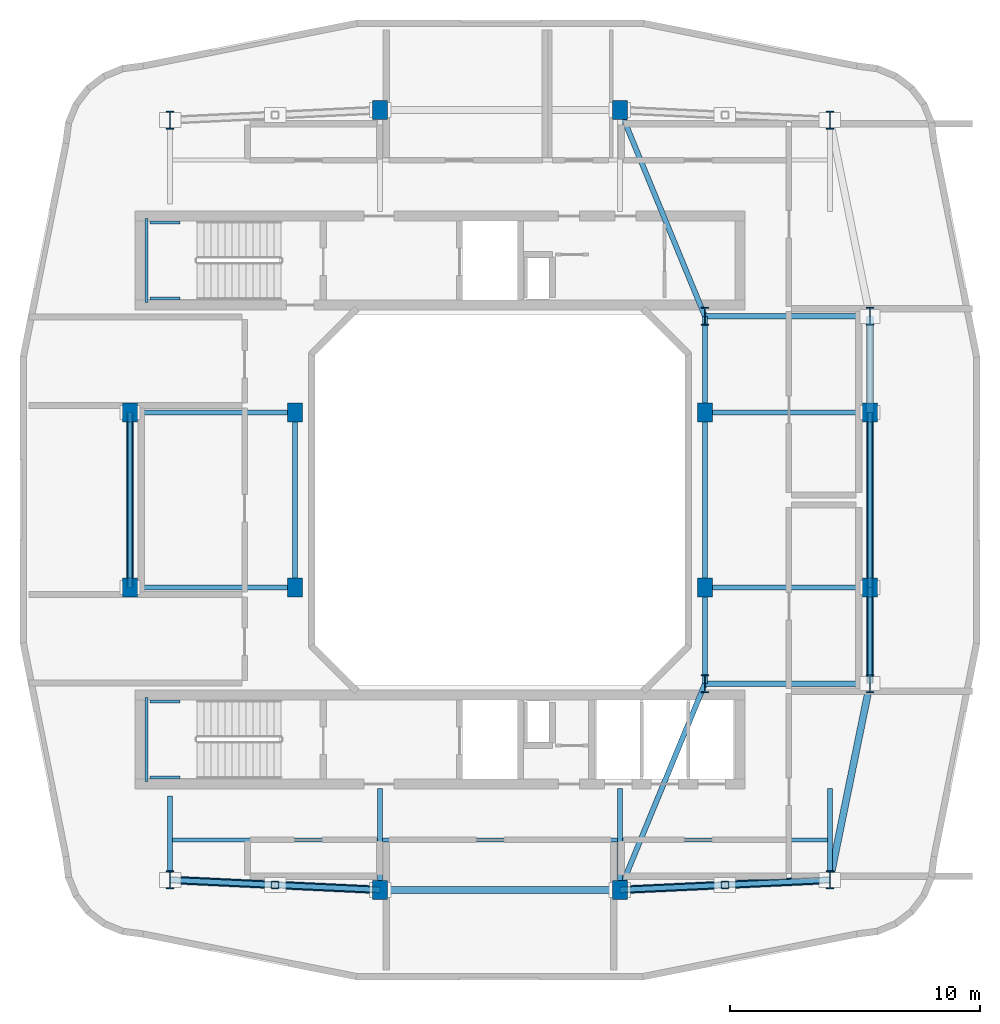
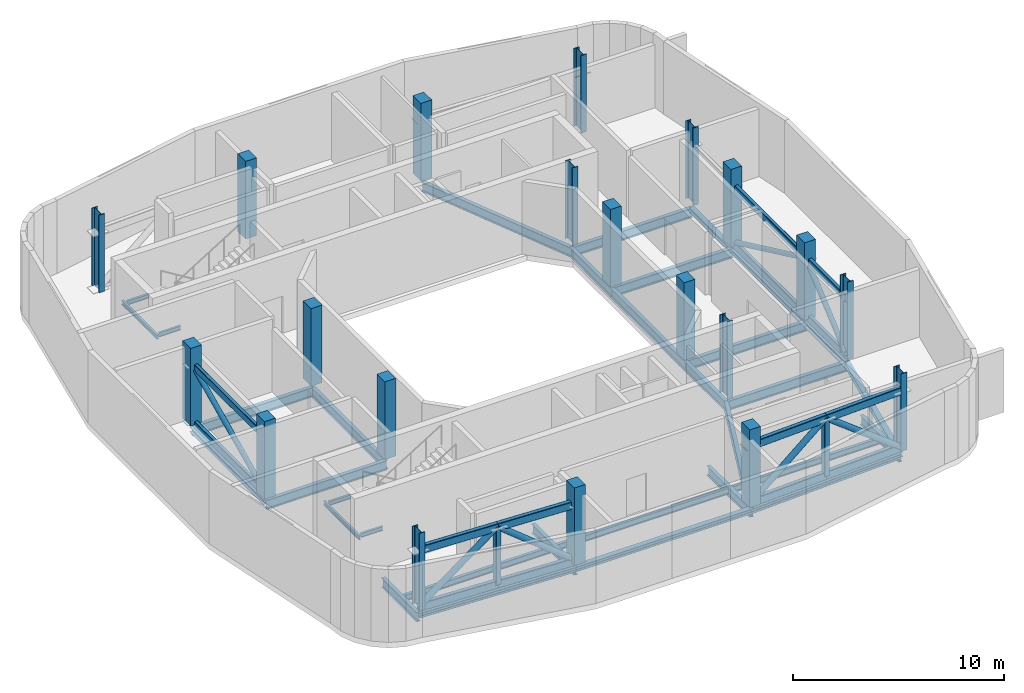
# One storey, part 1 of 9: 33 beams, 23 members, 20 columns.
"""IFC4 building model written with IfcOpenShell, lengths in metres."""

import ifcopenshell
import ifcopenshell.guid

model = None  # the IFC model being written
_history = None  # IfcOwnerHistory: only IFC2X3 demands one
_inside = {}  # id of a spatial element -> (the spatial element, [elements in it])
_under = {}  # id of a project, library or spatial element -> (it, [spatial elements below it])
_declared = {}  # id of a project -> (the project, [libraries it declares])
_typed = {}  # id of a type object -> (the type object, [elements of that type])
_made_of = {}  # id of a material, layer set ... -> (it, [elements and type objects made of it])


def new_model(schema):
    """Start an empty IFC model of exactly this schema.

    Asked for "IFC4X3", IfcOpenShell would pick the latest addendum, in which some entities
    have other attributes; the version numbers below select the first issue.
    IFC2X3 requires an IfcOwnerHistory on every rooted entity: one is made here for all.
    """
    global model, _history
    if schema == "IFC4X3":
        model = ifcopenshell.file(schema_version=(4, 3, 0, 0))
    else:
        model = ifcopenshell.file(schema=schema)
    _inside.clear()
    _under.clear()
    _declared.clear()
    _typed.clear()
    _made_of.clear()
    _history = None
    if model.schema == "IFC2X3":
        org = make("IfcOrganization", Name="unknown")
        user = make(
            "IfcPersonAndOrganization",
            ThePerson=make("IfcPerson", FamilyName="unknown"),
            TheOrganization=org,
        )
        app = make(
            "IfcApplication",
            ApplicationDeveloper=org,
            Version="unknown",
            ApplicationFullName="unknown",
            ApplicationIdentifier="unknown",
        )
        _history = make(
            "IfcOwnerHistory",
            OwningUser=user,
            OwningApplication=app,
            ChangeAction="ADDED",
            CreationDate=0,
        )
    return model


def make(cls, **values):
    """One entity of the class cls with the attributes given. An attribute that is None is left unset."""
    return model.create_entity(
        cls, **{name: value for name, value in values.items() if value is not None}
    )


def rooted(cls, **values):
    """An entity with a GlobalId (a new one), such as an element, a storey or a relation."""
    return make(cls, GlobalId=ifcopenshell.guid.new(), OwnerHistory=_history, **values)


def si_unit(unit_type, name, prefix=None):
    """IfcSIUnit, for example si_unit("LENGTHUNIT", "METRE", prefix="MILLI")."""
    return make("IfcSIUnit", UnitType=unit_type, Prefix=prefix, Name=name)


def derived_unit(unit_type, elements):
    """IfcDerivedUnit: a product of units, each with its exponent."""
    return make(
        "IfcDerivedUnit",
        Elements=[
            make("IfcDerivedUnitElement", Unit=unit, Exponent=power)
            for unit, power in elements
        ],
        UnitType=unit_type,
    )


def assignment(units):
    """IfcUnitAssignment: the units of a project."""
    return None if units is None else make("IfcUnitAssignment", Units=units)


def point(xyz):
    """IfcCartesianPoint."""
    return None if xyz is None else make("IfcCartesianPoint", Coordinates=xyz)


def direction(xyz):
    """IfcDirection."""
    return None if xyz is None else make("IfcDirection", DirectionRatios=xyz)


def frame(location, z_axis=None, x_axis=None):
    """IfcAxis2Placement3D, a coordinate frame: its origin and axes. An axis left out is left unset."""
    return make(
        "IfcAxis2Placement3D",
        Location=point(location),
        Axis=direction(z_axis),
        RefDirection=direction(x_axis),
    )


def frame_2d(location, x_axis=None):
    """IfcAxis2Placement2D, a coordinate frame in the plane: its origin and x axis."""
    return make(
        "IfcAxis2Placement2D", Location=point(location), RefDirection=direction(x_axis)
    )


def origin():
    """The frame at (0, 0, 0) with its axes left unset."""
    return frame((0.0, 0.0, 0.0))


def origin_2d():
    """The frame at (0, 0) in the plane with its x axis left unset."""
    return frame_2d((0.0, 0.0))


def place(relative_to, where):
    """IfcLocalPlacement: puts the frame where relative to a parent placement (None: the world)."""
    return make(
        "IfcLocalPlacement", PlacementRelTo=relative_to, RelativePlacement=where
    )


def context(
    kind, dimensions, precision=None, world=None, true_north=None, identifier=None
):
    """IfcGeometricRepresentationContext, for example the 3D "Model" context."""
    return make(
        "IfcGeometricRepresentationContext",
        ContextIdentifier=identifier,
        ContextType=kind,
        CoordinateSpaceDimension=dimensions,
        Precision=precision,
        WorldCoordinateSystem=world,
        TrueNorth=true_north,
    )


def subcontext(parent, identifier, kind, view, scale=None):
    """IfcGeometricRepresentationSubContext, for example "Body" below "Model"."""
    return make(
        "IfcGeometricRepresentationSubContext",
        ContextIdentifier=identifier,
        ContextType=kind,
        ParentContext=parent,
        TargetScale=scale,
        TargetView=view,
    )


def project(units=None, contexts=None):
    """IfcProject with its units and contexts."""
    return rooted(
        "IfcProject",
        Name="project",
        RepresentationContexts=contexts,
        UnitsInContext=assignment(units),
    )


def spatial(cls, under=None, at=None, **own):
    """A site, building, storey or space (cls), placed at a placement, below another one or the project."""
    s = rooted(cls, ObjectPlacement=at, **own)
    if under is not None:
        _under.setdefault(under.id(), (under, []))[1].append(s)
    return s


def profile(cls, at=None, kind="AREA", **sizes):
    """A parametric profile (cls). Its sizes go by their IFC names, for example OverallWidth=200.0."""
    return make(cls, ProfileType=kind, Position=at, **sizes)


def rectangle(**sizes):
    """IfcRectangleProfileDef."""
    return profile("IfcRectangleProfileDef", **sizes)


def hollow_rectangle(**sizes):
    """IfcRectangleHollowProfileDef."""
    return profile("IfcRectangleHollowProfileDef", **sizes)


def hollow_circle(**sizes):
    """IfcCircleHollowProfileDef."""
    return profile("IfcCircleHollowProfileDef", **sizes)


def i_section(**sizes):
    """IfcIShapeProfileDef."""
    return profile("IfcIShapeProfileDef", **sizes)


def extrude(swept, where, along, depth):
    """IfcExtrudedAreaSolid: the profile swept, set in the frame where, extruded along a direction by depth."""
    return make(
        "IfcExtrudedAreaSolid",
        SweptArea=swept,
        Position=where,
        ExtrudedDirection=direction(along),
        Depth=depth,
    )


def shape(context_of_items, identifier, shape_type, items):
    """IfcShapeRepresentation: the items that make up one representation, for example the "Body"."""
    return make(
        "IfcShapeRepresentation",
        ContextOfItems=context_of_items,
        RepresentationIdentifier=identifier,
        RepresentationType=shape_type,
        Items=items,
    )


def material(Name=None, Category=None):
    """IfcMaterial."""
    return make("IfcMaterial", Name=Name, Category=Category)


def material_profile(
    of_material, cross_section, Name=None, Category=None, Priority=None
):
    """IfcMaterialProfile: a cross section and its material."""
    return make(
        "IfcMaterialProfile",
        Name=Name,
        Material=of_material,
        Profile=cross_section,
        Priority=Priority,
        Category=Category,
    )


def profile_set(profiles, Name=None, composite=None):
    """IfcMaterialProfileSet."""
    return make(
        "IfcMaterialProfileSet",
        Name=Name,
        MaterialProfiles=profiles,
        CompositeProfile=composite,
    )


def made_of(thing, what):
    """Note that an element or type object is made of a material, layer set ...; save() writes the relation."""
    if what is not None:
        _made_of.setdefault(what.id(), (what, []))[1].append(thing)
    return thing


def type_object(cls, material=None, **own):
    """A type object (cls), such as IfcWallType, which elements share."""
    return made_of(rooted(cls, **own), material)


def element(
    cls,
    number,
    at=None,
    inside=None,
    cuts=None,
    type_object=None,
    material=None,
    context=None,
    identifier="Body",
    shape_type=None,
    held_by="IfcProductDefinitionShape",
    body=None,
    shapes=None,
    **own,
):
    """One element of the class cls, such as IfcWall. Its Tag is "e" and its number.

    at: its placement. inside: the storey or other place that contains it. cuts: it is an
    opening in that element (IfcRelVoidsElement). A single representation is given by context,
    identifier, shape_type and body (its items); several are given by shapes. held_by: the class
    of the entity that holds the representations. save() writes the other relations.
    """
    e = rooted(cls, Tag="e%d" % number, ObjectPlacement=at, **own)
    if body is not None:
        shapes = [shape(context, identifier, shape_type, body)]
    if shapes is not None:
        e.Representation = make(held_by, Representations=shapes)
    if inside is not None:
        _inside.setdefault(inside.id(), (inside, []))[1].append(e)
    if cuts is not None:
        rooted(
            "IfcRelVoidsElement", RelatingBuildingElement=cuts, RelatedOpeningElement=e
        )
    if type_object is not None:
        _typed.setdefault(type_object.id(), (type_object, []))[1].append(e)
    return made_of(e, material)


def aggregate(whole, parts):
    """IfcRelAggregates: a whole, such as a stair, and the parts it consists of."""
    return rooted("IfcRelAggregates", RelatingObject=whole, RelatedObjects=parts)


def save(model, path):
    """Write the relations noted so far, then the file.

    IfcRelAggregates (storeys below a building ...), IfcRelContainedInSpatialStructure (elements
    in a storey), IfcRelDefinesByType, IfcRelAssociatesMaterial and IfcRelDeclares: one each for
    every whole, place, type object, material and project.
    """
    for whole, parts in _under.values():
        aggregate(whole, parts)
    for where, things in _inside.values():
        rooted(
            "IfcRelContainedInSpatialStructure",
            RelatedElements=things,
            RelatingStructure=where,
        )
    for kind, things in _typed.values():
        rooted("IfcRelDefinesByType", RelatedObjects=things, RelatingType=kind)
    for what, things in _made_of.values():
        rooted("IfcRelAssociatesMaterial", RelatedObjects=things, RelatingMaterial=what)
    for by, libraries in _declared.values():
        rooted("IfcRelDeclares", RelatingContext=by, RelatedDefinitions=libraries)
    model.write(path)


model = new_model("IFC4")

# Units and contexts
model_context = context("Model", 3, precision=1e-05, world=origin(), true_north=direction((0.0, 1.0)))
body_context = subcontext(model_context, "Body", "Model", "MODEL_VIEW")
ifc_project = project(units=[si_unit("LENGTHUNIT", "METRE"), si_unit("AREAUNIT", "SQUARE_METRE"), si_unit("VOLUMEUNIT", "CUBIC_METRE"), si_unit("PLANEANGLEUNIT", "RADIAN"), si_unit("MASSUNIT", "GRAM", prefix="KILO"), derived_unit("THERMALTRANSMITTANCEUNIT", [(si_unit("POWERUNIT", "WATT"), 1), (si_unit("LENGTHUNIT", "METRE"), -2), (si_unit("THERMODYNAMICTEMPERATUREUNIT", "KELVIN"), -1)])], contexts=[model_context])

# Site, building, storey
site_placement = place(None, origin())
site = spatial("IfcSite", under=ifc_project, at=site_placement, CompositionType="ELEMENT")
building_placement = place(site_placement, origin())
building = spatial("IfcBuilding", under=site, at=building_placement, Name="Kivonza Crest Hotel", CompositionType="ELEMENT")
storey_placement = place(building_placement, frame((0.0, 0.0, 238.699951171875)))
storey = spatial("IfcBuildingStorey", under=building, at=storey_placement, Name="L65", CompositionType="ELEMENT", Elevation=238.699951171875)

# Columns
ifc_material_1 = material(Name="Concrete C50/60", Category="concrete")
ifc_material_profile_1 = material_profile(ifc_material_1, rectangle(XDim=0.60009765625, YDim=0.75, at=origin_2d()), Name="RC 750x600")
ifc_profile_set_1 = profile_set([ifc_material_profile_1], Name="Concrete C50/60")
column_type_1 = type_object("IfcColumnType", Name="CL-RC-750x600", PredefinedType="COLUMN", material=ifc_profile_set_1)
for number, where, z_axis, x_axis, name in (
    (1, (16.199951171875, 9.39990234375, 0.0), (0.0, 0.0, 1.0), (1.0, 0.0, 0.0), "Tower T1 L65 column S1"),
    (2, (25.800048828125, 9.39990234375, 0.0), (0.0, 0.0, 1.0), (1.0, 0.0, 0.0), "Tower T1 L65 column S2"),
    (3, (16.199951171875, 40.60009765625, 0.0), (0.0, 0.0, 1.0), (1.0, 0.0, 0.0), "Tower T1 L65 column N1"),
    (4, (25.800048828125, 40.60009765625, 0.0), (0.0, 0.0, 1.0), (1.0, 0.0, 0.0), "Tower T1 L65 column N2"),
    (5, (6.199951171875, 21.5, 0.0), (0.0, 0.0, 1.0), (1.0, 0.0, 0.0), "Tower T1 L65 column W1"),
    (6, (6.199951171875, 28.5, 0.0), (0.0, 0.0, 1.0), (1.0, 0.0, 0.0), "Tower T1 L65 column W2"),
    (7, (35.800048828125, 21.5, 0.0), (0.0, 0.0, 1.0), (1.0, 0.0, 0.0), "Tower T1 L65 column E1"),
    (8, (35.800048828125, 28.5, 0.0), (0.0, 0.0, 1.0), (1.0, 0.0, 0.0), "Tower T1 L65 column E2"),
    (9, (12.800048828125, 21.5, 0.0), (0.0, 0.0, 1.0), (1.0, 0.0, 0.0), "Tower T1 L65 column WL1"),
    (10, (12.800048828125, 28.5, 0.0), (0.0, 0.0, 1.0), (1.0, 0.0, 0.0), "Tower T1 L65 column WL2"),
    (11, (29.199951171875, 21.5, 0.0), (0.0, 0.0, 1.0), (1.0, 0.0, 0.0), "Tower T1 L65 column WR1"),
    (12, (29.199951171875, 28.5, 0.0), (0.0, 0.0, 1.0), (1.0, 0.0, 0.0), "Tower T1 L65 column WR2"),
):
    element("IfcColumn", number, at=place(storey_placement, frame(where, z_axis=z_axis, x_axis=x_axis)), inside=storey, type_object=column_type_1, Name=name, PredefinedType="COLUMN", context=body_context, shape_type="SweptSolid", body=[
        extrude(rectangle(XDim=0.60009765625, YDim=0.75, at=origin_2d()), origin(), (0.0, 0.0, 1.0), 4.5),
    ])
ifc_material_2 = material(Name="Steel S355", Category="steel")
ifc_material_profile_2 = material_profile(ifc_material_2, i_section(OverallWidth=0.303955078125, OverallDepth=0.716064453125, WebThickness=0.02099609375, FlangeThickness=0.0400390625, FilletRadius=0.027099609375, at=origin_2d()), Name="HEM 700")
ifc_profile_set_2 = profile_set([ifc_material_profile_2], Name="Steel S355")
column_type_2 = type_object("IfcColumnType", Name="CL-ST-HEM700", PredefinedType="COLUMN", material=ifc_profile_set_2)
for number, where, z_axis, x_axis, name in (
    (13, (7.800048828125, 9.800048828125, 0.0), (0.0, 0.0, 1.0), (1.0, 0.0, 0.0), "Tower T1 L65 column SW"),
    (14, (34.199951171875, 9.800048828125, 0.0), (0.0, 0.0, 1.0), (1.0, 0.0, 0.0), "Tower T1 L65 column SE"),
    (15, (34.199951171875, 40.199951171875, 0.0), (0.0, 0.0, 1.0), (1.0, 0.0, 0.0), "Tower T1 L65 column NE"),
    (16, (7.800048828125, 40.199951171875, 0.0), (0.0, 0.0, 1.0), (1.0, 0.0, 0.0), "Tower T1 L65 column NW"),
    (17, (35.800048828125, 17.64990234375, 0.0), (0.0, 0.0, 1.0), (1.0, 0.0, 0.0), "Tower T1 L65 column PSE"),
    (18, (35.800048828125, 32.35009765625, 0.0), (0.0, 0.0, 1.0), (1.0, 0.0, 0.0), "Tower T1 L65 column PNE"),
    (19, (29.199951171875, 17.64990234375, 0.0), (0.0, 0.0, 1.0), (1.0, 0.0, 0.0), "Tower T1 L65 column TSE"),
    (20, (29.199951171875, 32.35009765625, 0.0), (0.0, 0.0, 1.0), (1.0, 0.0, 0.0), "Tower T1 L65 column TNE"),
):
    element("IfcColumn", number, at=place(storey_placement, frame(where, z_axis=z_axis, x_axis=x_axis)), inside=storey, type_object=column_type_2, Name=name, PredefinedType="COLUMN", context=body_context, shape_type="SweptSolid", body=[
        extrude(i_section(OverallWidth=0.303955078125, OverallDepth=0.716064453125, WebThickness=0.02099609375, FlangeThickness=0.0400390625, FilletRadius=0.027099609375, at=origin_2d()), origin(), (0.0, 0.0, 1.0), 4.5),
    ])

# Beams
ifc_material_profile_3 = material_profile(ifc_material_2, i_section(OverallWidth=0.280029296875, OverallDepth=0.280029296875, WebThickness=0.010498046875, FlangeThickness=0.01806640625, FilletRadius=0.02392578125, at=origin_2d()), Name="HEB 280")
ifc_profile_set_3 = profile_set([ifc_material_profile_3], Name="Steel S355")
beam_type_1 = type_object("IfcBeamType", Name="BM-HEB280", PredefinedType="SPANDREL", material=ifc_profile_set_3)
beam_1_placement = place(storey_placement, frame((16.199951171875, 9.39990234375, -0.4599609375), z_axis=(1.0, 0.0, 0.0), x_axis=(0.0, 1.0, 0.0)))
element("IfcBeam", 21, at=beam_1_placement, inside=storey, type_object=beam_type_1, Name="Tower T1 L65 perimeter spandrel S1-S2", PredefinedType="SPANDREL", context=body_context, shape_type="SweptSolid", body=[
    extrude(i_section(OverallWidth=0.280029296875, OverallDepth=0.280029296875, WebThickness=0.010498046875, FlangeThickness=0.01806640625, FilletRadius=0.02392578125, at=origin_2d()), origin(), (0.0, 0.0, 1.0), 9.60009765625),
])
beam_2_placement = place(storey_placement, frame((25.800048828125, 9.39990234375, -0.4599609375), z_axis=(0.998867283688, 0.047583080799, 0.0), x_axis=(-0.047583080799, 0.998867283688, 0.0)))
element("IfcBeam", 22, at=beam_2_placement, inside=storey, type_object=beam_type_1, Name="Tower T1 L65 perimeter spandrel S2-SE", PredefinedType="SPANDREL", context=body_context, shape_type="SweptSolid", body=[
    extrude(i_section(OverallWidth=0.280029296875, OverallDepth=0.280029296875, WebThickness=0.010498046875, FlangeThickness=0.01806640625, FilletRadius=0.02392578125, at=origin_2d()), origin(), (0.0, 0.0, 1.0), 8.409423828125),
])
beam_3_placement = place(storey_placement, frame((34.199951171875, 9.800048828125, -0.4599609375), z_axis=(0.199730733965, 0.979850822273, 0.0), x_axis=(-0.979850822273, 0.199730733965, 0.0)))
element("IfcBeam", 23, at=beam_3_placement, inside=storey, type_object=beam_type_1, Name="Tower T1 L65 perimeter spandrel SE-PSE", PredefinedType="SPANDREL", context=body_context, shape_type="SweptSolid", body=[
    extrude(i_section(OverallWidth=0.280029296875, OverallDepth=0.280029296875, WebThickness=0.010498046875, FlangeThickness=0.01806640625, FilletRadius=0.02392578125, at=origin_2d()), origin(), (0.0, 0.0, 1.0), 8.01123046875),
])
beam_4_placement = place(storey_placement, frame((35.800048828125, 17.64990234375, -0.4599609375), z_axis=(0.0, 1.0, 0.0), x_axis=(-1.0, 0.0, 0.0)))
element("IfcBeam", 24, at=beam_4_placement, inside=storey, type_object=beam_type_1, Name="Tower T1 L65 perimeter spandrel PSE-E1", PredefinedType="SPANDREL", context=body_context, shape_type="SweptSolid", body=[
    extrude(i_section(OverallWidth=0.280029296875, OverallDepth=0.280029296875, WebThickness=0.010498046875, FlangeThickness=0.01806640625, FilletRadius=0.02392578125, at=origin_2d()), origin(), (0.0, 0.0, 1.0), 3.85009765625),
])
beam_5_placement = place(storey_placement, frame((35.800048828125, 21.5, -0.4599609375), z_axis=(0.0, 1.0, 0.0), x_axis=(-1.0, 0.0, 0.0)))
element("IfcBeam", 25, at=beam_5_placement, inside=storey, type_object=beam_type_1, Name="Tower T1 L65 perimeter spandrel E1-E2", PredefinedType="SPANDREL", context=body_context, shape_type="SweptSolid", body=[
    extrude(i_section(OverallWidth=0.280029296875, OverallDepth=0.280029296875, WebThickness=0.010498046875, FlangeThickness=0.01806640625, FilletRadius=0.02392578125, at=origin_2d()), origin(), (0.0, 0.0, 1.0), 7.0),
])
beam_6_placement = place(storey_placement, frame((35.800048828125, 28.5, -0.4599609375), z_axis=(0.0, 1.0, 0.0), x_axis=(-1.0, 0.0, 0.0)))
element("IfcBeam", 26, at=beam_6_placement, inside=storey, type_object=beam_type_1, Name="Tower T1 L65 perimeter spandrel E2-PNE", PredefinedType="SPANDREL", context=body_context, shape_type="SweptSolid", body=[
    extrude(i_section(OverallWidth=0.280029296875, OverallDepth=0.280029296875, WebThickness=0.010498046875, FlangeThickness=0.01806640625, FilletRadius=0.02392578125, at=origin_2d()), origin(), (0.0, 0.0, 1.0), 3.85009765625),
])
beam_7_placement = place(storey_placement, frame((6.199951171875, 28.5, -0.4599609375), z_axis=(0.0, -1.0, 0.0), x_axis=(1.0, 0.0, 0.0)))
element("IfcBeam", 27, at=beam_7_placement, inside=storey, type_object=beam_type_1, Name="Tower T1 L65 perimeter spandrel W2-W1", PredefinedType="SPANDREL", context=body_context, shape_type="SweptSolid", body=[
    extrude(i_section(OverallWidth=0.280029296875, OverallDepth=0.280029296875, WebThickness=0.010498046875, FlangeThickness=0.01806640625, FilletRadius=0.02392578125, at=origin_2d()), origin(), (0.0, 0.0, 1.0), 7.0),
])
beam_8_placement = place(storey_placement, frame((7.800048828125, 9.800048828125, -0.4599609375), z_axis=(0.998867283688, -0.047583080799, 0.0), x_axis=(0.047583080799, 0.998867283688, 0.0)))
element("IfcBeam", 28, at=beam_8_placement, inside=storey, type_object=beam_type_1, Name="Tower T1 L65 perimeter spandrel SW-S1", PredefinedType="SPANDREL", context=body_context, shape_type="SweptSolid", body=[
    extrude(i_section(OverallWidth=0.280029296875, OverallDepth=0.280029296875, WebThickness=0.010498046875, FlangeThickness=0.01806640625, FilletRadius=0.02392578125, at=origin_2d()), origin(), (0.0, 0.0, 1.0), 8.409423828125),
])
ifc_material_profile_4 = material_profile(ifc_material_2, i_section(OverallWidth=0.169921875, OverallDepth=0.360107421875, WebThickness=0.008056640625, FlangeThickness=0.0126953125, FilletRadius=0.01806640625, at=origin_2d()), Name="IPE 360")
ifc_profile_set_4 = profile_set([ifc_material_profile_4], Name="Steel S355")
beam_type_2 = type_object("IfcBeamType", Name="BM-IPE360", PredefinedType="JOIST", material=ifc_profile_set_4)
beam_9_placement = place(storey_placement, frame((7.8798828125, 11.39990234375, -0.5), z_axis=(1.0, 0.0, 0.0), x_axis=(0.0, 1.0, 0.0)))
element("IfcBeam", 29, at=beam_9_placement, inside=storey, type_object=beam_type_2, Name="Tower T1 L65 South-West floor joist", PredefinedType="JOIST", context=body_context, shape_type="SweptSolid", body=[
    extrude(i_section(OverallWidth=0.169921875, OverallDepth=0.360107421875, WebThickness=0.008056640625, FlangeThickness=0.0126953125, FilletRadius=0.01806640625, at=origin_2d()), origin(), (0.0, 0.0, 1.0), 8.240234375),
])
beam_10_placement = place(storey_placement, frame((16.280029296875, 11.39990234375, -0.5), z_axis=(1.0, 0.0, 0.0), x_axis=(0.0, 1.0, 0.0)))
element("IfcBeam", 30, at=beam_10_placement, inside=storey, type_object=beam_type_2, Name="Tower T1 L65 South-Mid floor joist", PredefinedType="JOIST", context=body_context, shape_type="SweptSolid", body=[
    extrude(i_section(OverallWidth=0.169921875, OverallDepth=0.360107421875, WebThickness=0.008056640625, FlangeThickness=0.0126953125, FilletRadius=0.01806640625, at=origin_2d()), origin(), (0.0, 0.0, 1.0), 9.43994140625),
])
beam_11_placement = place(storey_placement, frame((25.8798828125, 11.39990234375, -0.5), z_axis=(1.0, 0.0, 0.0), x_axis=(0.0, 1.0, 0.0)))
element("IfcBeam", 31, at=beam_11_placement, inside=storey, type_object=beam_type_2, Name="Tower T1 L65 South-East floor joist", PredefinedType="JOIST", context=body_context, shape_type="SweptSolid", body=[
    extrude(i_section(OverallWidth=0.169921875, OverallDepth=0.360107421875, WebThickness=0.008056640625, FlangeThickness=0.0126953125, FilletRadius=0.01806640625, at=origin_2d()), origin(), (0.0, 0.0, 1.0), 8.240234375),
])
ifc_material_profile_5 = material_profile(ifc_material_2, i_section(OverallWidth=0.2099609375, OverallDepth=0.550048828125, WebThickness=0.010986328125, FlangeThickness=0.01708984375, FilletRadius=0.02392578125, at=origin_2d()), Name="IPE 550")
ifc_profile_set_5 = profile_set([ifc_material_profile_5], Name="Steel S355")
beam_type_3 = type_object("IfcBeamType", Name="BM-IPE550", PredefinedType="BEAM", material=ifc_profile_set_5)
for number, where, z_axis, x_axis, name in (
    (32, (6.199951171875, 21.5, -0.594970703125), (1.0, 0.0, 0.0), (0.0, 1.0, 0.0), "Tower T1 L65 primary girder W1-WL1"),
    (33, (6.199951171875, 28.5, -0.594970703125), (1.0, 0.0, 0.0), (0.0, 1.0, 0.0), "Tower T1 L65 primary girder W2-WL2"),
):
    element("IfcBeam", number, at=place(storey_placement, frame(where, z_axis=z_axis, x_axis=x_axis)), inside=storey, type_object=beam_type_3, Name=name, PredefinedType="BEAM", context=body_context, shape_type="SweptSolid", body=[
        extrude(i_section(OverallWidth=0.2099609375, OverallDepth=0.550048828125, WebThickness=0.010986328125, FlangeThickness=0.01708984375, FilletRadius=0.02392578125, at=origin_2d()), origin(), (0.0, 0.0, 1.0), 6.60009765625),
    ])
beam_12_placement = place(storey_placement, frame((12.800048828125, 21.5, -0.594970703125), z_axis=(0.0, 1.0, 0.0), x_axis=(-1.0, 0.0, 0.0)))
element("IfcBeam", 34, at=beam_12_placement, inside=storey, type_object=beam_type_3, Name="Tower T1 L65 primary girder WL1-WL2", PredefinedType="BEAM", context=body_context, shape_type="SweptSolid", body=[
    extrude(i_section(OverallWidth=0.2099609375, OverallDepth=0.550048828125, WebThickness=0.010986328125, FlangeThickness=0.01708984375, FilletRadius=0.02392578125, at=origin_2d()), origin(), (0.0, 0.0, 1.0), 7.0),
])
for number, where, z_axis, x_axis, name in (
    (35, (25.800048828125, 9.39990234375, -0.594970703125), (0.381022260404, 0.924565864109, 0.0), (-0.924565864109, 0.381022260404, 0.0), "Tower T1 L65 primary girder S1-TSE"),
    (36, (25.800048828125, 40.60009765625, -0.594970703125), (0.381022260404, -0.924565864109, 0.0), (0.924565864109, 0.381022260404, 0.0), "Tower T1 L65 primary girder N1-TNE"),
):
    element("IfcBeam", number, at=place(storey_placement, frame(where, z_axis=z_axis, x_axis=x_axis)), inside=storey, type_object=beam_type_3, Name=name, PredefinedType="BEAM", context=body_context, shape_type="SweptSolid", body=[
        extrude(i_section(OverallWidth=0.2099609375, OverallDepth=0.550048828125, WebThickness=0.010986328125, FlangeThickness=0.01708984375, FilletRadius=0.02392578125, at=origin_2d()), origin(), (0.0, 0.0, 1.0), 8.923095703125),
    ])
for number, where, z_axis, x_axis, name in (
    (37, (29.199951171875, 17.64990234375, -0.594970703125), (1.0, 0.0, 0.0), (0.0, 1.0, 0.0), "Tower T1 L65 primary girder TSE-PSE"),
    (38, (29.199951171875, 32.35009765625, -0.594970703125), (1.0, 0.0, 0.0), (0.0, 1.0, 0.0), "Tower T1 L65 primary girder TNE-PNE"),
):
    element("IfcBeam", number, at=place(storey_placement, frame(where, z_axis=z_axis, x_axis=x_axis)), inside=storey, type_object=beam_type_3, Name=name, PredefinedType="BEAM", context=body_context, shape_type="SweptSolid", body=[
        extrude(i_section(OverallWidth=0.2099609375, OverallDepth=0.550048828125, WebThickness=0.010986328125, FlangeThickness=0.01708984375, FilletRadius=0.02392578125, at=origin_2d()), origin(), (0.0, 0.0, 1.0), 6.60009765625),
    ])
beam_13_placement = place(storey_placement, frame((29.199951171875, 21.5, -0.594970703125), z_axis=(0.0, 1.0, 0.0), x_axis=(-1.0, 0.0, 0.0)))
element("IfcBeam", 39, at=beam_13_placement, inside=storey, type_object=beam_type_3, Name="Tower T1 L65 primary girder WR1-WR2", PredefinedType="BEAM", context=body_context, shape_type="SweptSolid", body=[
    extrude(i_section(OverallWidth=0.2099609375, OverallDepth=0.550048828125, WebThickness=0.010986328125, FlangeThickness=0.01708984375, FilletRadius=0.02392578125, at=origin_2d()), origin(), (0.0, 0.0, 1.0), 7.0),
])
for number, where, z_axis, x_axis, name in (
    (40, (29.199951171875, 17.64990234375, -0.594970703125), (0.0, 1.0, 0.0), (-1.0, 0.0, 0.0), "Tower T1 L65 primary girder TSE-WR1"),
    (41, (29.199951171875, 28.5, -0.594970703125), (0.0, 1.0, 0.0), (-1.0, 0.0, 0.0), "Tower T1 L65 primary girder WR2-TNE"),
):
    element("IfcBeam", number, at=place(storey_placement, frame(where, z_axis=z_axis, x_axis=x_axis)), inside=storey, type_object=beam_type_3, Name=name, PredefinedType="BEAM", context=body_context, shape_type="SweptSolid", body=[
        extrude(i_section(OverallWidth=0.2099609375, OverallDepth=0.550048828125, WebThickness=0.010986328125, FlangeThickness=0.01708984375, FilletRadius=0.02392578125, at=origin_2d()), origin(), (0.0, 0.0, 1.0), 3.85009765625),
    ])
for number, where, z_axis, x_axis, name in (
    (42, (29.199951171875, 21.5, -0.594970703125), (1.0, 0.0, 0.0), (0.0, 1.0, 0.0), "Tower T1 L65 primary girder WR1-E1"),
    (43, (29.199951171875, 28.5, -0.594970703125), (1.0, 0.0, 0.0), (0.0, 1.0, 0.0), "Tower T1 L65 primary girder WR2-E2"),
):
    element("IfcBeam", number, at=place(storey_placement, frame(where, z_axis=z_axis, x_axis=x_axis)), inside=storey, type_object=beam_type_3, Name=name, PredefinedType="BEAM", context=body_context, shape_type="SweptSolid", body=[
        extrude(i_section(OverallWidth=0.2099609375, OverallDepth=0.550048828125, WebThickness=0.010986328125, FlangeThickness=0.01708984375, FilletRadius=0.02392578125, at=origin_2d()), origin(), (0.0, 0.0, 1.0), 6.60009765625),
    ])
beam_14_placement = place(storey_placement, frame((7.800048828125, 9.800048828125, -0.594970703125), z_axis=(0.0, 1.0, 0.0), x_axis=(-1.0, 0.0, 0.0)))
element("IfcBeam", 44, at=beam_14_placement, inside=storey, type_object=beam_type_3, Name="Tower T1 L65 radial core girder RSW", PredefinedType="BEAM", context=body_context, shape_type="SweptSolid", body=[
    extrude(i_section(OverallWidth=0.2099609375, OverallDepth=0.550048828125, WebThickness=0.010986328125, FlangeThickness=0.01708984375, FilletRadius=0.02392578125, at=origin_2d()), origin(), (0.0, 0.0, 1.0), 3.349853515625),
])
for number, where, z_axis, x_axis, name in (
    (45, (16.199951171875, 9.39990234375, -0.594970703125), (0.0, 1.0, 0.0), (-1.0, 0.0, 0.0), "Tower T1 L65 radial core girder RS1"),
    (46, (25.800048828125, 9.39990234375, -0.594970703125), (0.0, 1.0, 0.0), (-1.0, 0.0, 0.0), "Tower T1 L65 radial core girder RS2"),
):
    element("IfcBeam", number, at=place(storey_placement, frame(where, z_axis=z_axis, x_axis=x_axis)), inside=storey, type_object=beam_type_3, Name=name, PredefinedType="BEAM", context=body_context, shape_type="SweptSolid", body=[
        extrude(i_section(OverallWidth=0.2099609375, OverallDepth=0.550048828125, WebThickness=0.010986328125, FlangeThickness=0.01708984375, FilletRadius=0.02392578125, at=origin_2d()), origin(), (0.0, 0.0, 1.0), 4.050048828125),
    ])
beam_15_placement = place(storey_placement, frame((34.199951171875, 9.800048828125, -0.594970703125), z_axis=(0.0, 1.0, 0.0), x_axis=(-1.0, 0.0, 0.0)))
element("IfcBeam", 47, at=beam_15_placement, inside=storey, type_object=beam_type_3, Name="Tower T1 L65 radial core girder RSE", PredefinedType="BEAM", context=body_context, shape_type="SweptSolid", body=[
    extrude(i_section(OverallWidth=0.2099609375, OverallDepth=0.550048828125, WebThickness=0.010986328125, FlangeThickness=0.01708984375, FilletRadius=0.02392578125, at=origin_2d()), origin(), (0.0, 0.0, 1.0), 3.64990234375),
])
ifc_material_profile_6 = material_profile(ifc_material_2, i_section(OverallWidth=0.1201171875, OverallDepth=0.239990234375, WebThickness=0.006103515625, FlangeThickness=0.009765625, FilletRadius=0.014892578125, at=origin_2d()), Name="IPE 240")
ifc_profile_set_6 = profile_set([ifc_material_profile_6], Name="Steel S355")
beam_type_4 = type_object("IfcBeamType", Name="BM-LLDG-240", PredefinedType="BEAM", material=ifc_profile_set_6)
beam_16_placement = place(storey_placement, frame((6.860107421875, 32.89990234375, 1.929931640625), z_axis=(0.0, 1.0, 0.0), x_axis=(-1.0, 0.0, 0.0)))
element("IfcBeam", 48, at=beam_16_placement, inside=storey, type_object=beam_type_4, Name="Stair ST-T1-N L65 West landing corbel", PredefinedType="BEAM", context=body_context, shape_type="SweptSolid", body=[
    extrude(i_section(OverallWidth=0.1201171875, OverallDepth=0.239990234375, WebThickness=0.006103515625, FlangeThickness=0.009765625, FilletRadius=0.014892578125, at=origin_2d()), origin(), (0.0, 0.0, 1.0), 3.360107421875),
])
for number, where, z_axis, x_axis, name in (
    (49, (6.989990234375, 33.06005859375, 1.929931640625), (1.0, 0.0, 0.0), (0.0, 1.0, 0.0), "Stair ST-T1-N L65 South landing corbel"),
    (50, (6.989990234375, 36.10009765625, 1.929931640625), (1.0, 0.0, 0.0), (0.0, 1.0, 0.0), "Stair ST-T1-N L65 North landing corbel"),
):
    element("IfcBeam", number, at=place(storey_placement, frame(where, z_axis=z_axis, x_axis=x_axis)), inside=storey, type_object=beam_type_4, Name=name, PredefinedType="BEAM", context=body_context, shape_type="SweptSolid", body=[
        extrude(i_section(OverallWidth=0.1201171875, OverallDepth=0.239990234375, WebThickness=0.006103515625, FlangeThickness=0.009765625, FilletRadius=0.014892578125, at=origin_2d()), origin(), (0.0, 0.0, 1.0), 1.2099609375),
    ])
beam_17_placement = place(storey_placement, frame((6.860107421875, 13.739990234375, 1.929931640625), z_axis=(0.0, 1.0, 0.0), x_axis=(-1.0, 0.0, 0.0)))
element("IfcBeam", 51, at=beam_17_placement, inside=storey, type_object=beam_type_4, Name="Stair ST-T1-S L65 West landing corbel", PredefinedType="BEAM", context=body_context, shape_type="SweptSolid", body=[
    extrude(i_section(OverallWidth=0.1201171875, OverallDepth=0.239990234375, WebThickness=0.006103515625, FlangeThickness=0.009765625, FilletRadius=0.014892578125, at=origin_2d()), origin(), (0.0, 0.0, 1.0), 3.360107421875),
])
for number, where, z_axis, x_axis, name in (
    (52, (6.989990234375, 13.89990234375, 1.929931640625), (1.0, 0.0, 0.0), (0.0, 1.0, 0.0), "Stair ST-T1-S L65 South landing corbel"),
    (53, (6.989990234375, 16.93994140625, 1.929931640625), (1.0, 0.0, 0.0), (0.0, 1.0, 0.0), "Stair ST-T1-S L65 North landing corbel"),
):
    element("IfcBeam", number, at=place(storey_placement, frame(where, z_axis=z_axis, x_axis=x_axis)), inside=storey, type_object=beam_type_4, Name=name, PredefinedType="BEAM", context=body_context, shape_type="SweptSolid", body=[
        extrude(i_section(OverallWidth=0.1201171875, OverallDepth=0.239990234375, WebThickness=0.006103515625, FlangeThickness=0.009765625, FilletRadius=0.014892578125, at=origin_2d()), origin(), (0.0, 0.0, 1.0), 1.2099609375),
    ])

# Members
ifc_material_profile_7 = material_profile(ifc_material_2, hollow_circle(Radius=0.136474609375, WallThickness=0.012451171875, at=origin_2d()), Name="CHS 273x12.5")
ifc_profile_set_7 = profile_set([ifc_material_profile_7], Name="Steel S355")
member_type_1 = type_object("IfcMemberType", Name="MB-BRACE-CHS273", PredefinedType="BRACE", material=ifc_profile_set_7)
member_1_placement = place(storey_placement, frame((6.199951171875, 21.5, 0.0), z_axis=(0.0, 0.90452320938, 0.426424393875), x_axis=(-1.0, 0.0, 0.0)))
element("IfcMember", 54, at=member_1_placement, inside=storey, type_object=member_type_1, Name="Belt truss L65 W diagonal brace 1", PredefinedType="BRACE", context=body_context, shape_type="SweptSolid", body=[
    extrude(hollow_circle(Radius=0.136474609375, WallThickness=0.012451171875, at=origin_2d()), origin(), (0.0, 0.0, 1.0), 7.73876953125),
])
member_2_placement = place(storey_placement, frame((35.800048828125, 17.64990234375, 0.0), z_axis=(0.0, 0.759260000885, 0.650787408495), x_axis=(-1.0, 0.0, 0.0)))
element("IfcMember", 55, at=member_2_placement, inside=storey, type_object=member_type_1, Name="Belt truss L65 E diagonal brace 1", PredefinedType="BRACE", context=body_context, shape_type="SweptSolid", body=[
    extrude(hollow_circle(Radius=0.136474609375, WallThickness=0.012451171875, at=origin_2d()), origin(), (0.0, 0.0, 1.0), 5.07080078125),
])
member_3_placement = place(storey_placement, frame((35.800048828125, 21.5, 3.300048828125), z_axis=(0.0, 0.90452320938, -0.426424393875), x_axis=(-1.0, 0.0, 0.0)))
element("IfcMember", 56, at=member_3_placement, inside=storey, type_object=member_type_1, Name="Belt truss L65 E diagonal brace 2", PredefinedType="BRACE", context=body_context, shape_type="SweptSolid", body=[
    extrude(hollow_circle(Radius=0.136474609375, WallThickness=0.012451171875, at=origin_2d()), origin(), (0.0, 0.0, 1.0), 7.73876953125),
])
ifc_material_profile_8 = material_profile(ifc_material_2, hollow_circle(Radius=0.161865234375, WallThickness=0.01611328125, at=origin_2d()), Name="CHS 323.9x16")
ifc_profile_set_8 = profile_set([ifc_material_profile_8], Name="Steel S355")
member_type_2 = type_object("IfcMemberType", Name="MB-BRACE-CHS324", PredefinedType="BRACE", material=ifc_profile_set_8)
for number, where, z_axis, x_axis, name in (
    (57, (16.199951171875, 9.39990234375, 0.0), (-0.785758694228, 0.037454056227, 0.617398143921), (-0.047612046782, -0.998865903413, 0.0), "Outrigger truss L65 SW diagonal brace 1"),
    (58, (12.0, 9.60009765625, 3.300048828125), (-0.78576003764, 0.037408444505, -0.617399199487), (-0.047554114695, -0.998868663126, 0.0), "Outrigger truss L65 SW diagonal brace 2"),
    (59, (25.800048828125, 9.39990234375, 0.0), (0.785758694228, 0.037454056227, 0.617398143921), (-0.047612046782, 0.998865903413, 0.0), "Outrigger truss L65 SE diagonal brace 1"),
    (60, (30.0, 9.60009765625, 3.300048828125), (0.78576003764, 0.037408444505, -0.617399199487), (-0.047554114695, 0.998868663126, 0.0), "Outrigger truss L65 SE diagonal brace 2"),
):
    element("IfcMember", number, at=place(storey_placement, frame(where, z_axis=z_axis, x_axis=x_axis)), inside=storey, type_object=member_type_2, Name=name, PredefinedType="BRACE", context=body_context, shape_type="SweptSolid", body=[
        extrude(hollow_circle(Radius=0.161865234375, WallThickness=0.01611328125, at=origin_2d()), origin(), (0.0, 0.0, 1.0), 5.344970703125),
    ])
ifc_material_profile_9 = material_profile(ifc_material_2, hollow_rectangle(XDim=0.199951171875, YDim=0.39990234375, WallThickness=0.01611328125, InnerFilletRadius=0.02392578125, OuterFilletRadius=0.0400390625, at=origin_2d()), Name="RHS 400x200x16")
ifc_profile_set_9 = profile_set([ifc_material_profile_9], Name="Steel S355")
member_type_3 = type_object("IfcMemberType", Name="MB-CHORD-RHS400", PredefinedType="CHORD", material=ifc_profile_set_9)
for number, where, z_axis, x_axis, name in (
    (61, (6.199951171875, 21.5, 0.0), (0.0, 1.0, 0.0), (-1.0, 0.0, 0.0), "Belt truss L65 W bottom chord 1"),
    (62, (6.199951171875, 21.5, 3.300048828125), (0.0, 1.0, 0.0), (-1.0, 0.0, 0.0), "Belt truss L65 W top chord 1"),
):
    element("IfcMember", number, at=place(storey_placement, frame(where, z_axis=z_axis, x_axis=x_axis)), inside=storey, type_object=member_type_3, Name=name, PredefinedType="CHORD", context=body_context, shape_type="SweptSolid", body=[
        extrude(hollow_rectangle(XDim=0.199951171875, YDim=0.39990234375, WallThickness=0.01611328125, InnerFilletRadius=0.02392578125, OuterFilletRadius=0.0400390625, at=origin_2d()), origin(), (0.0, 0.0, 1.0), 7.0),
    ])
for number, where, z_axis, x_axis, name in (
    (63, (35.800048828125, 17.64990234375, 0.0), (0.0, 1.0, 0.0), (-1.0, 0.0, 0.0), "Belt truss L65 E bottom chord 1"),
    (64, (35.800048828125, 17.64990234375, 3.300048828125), (0.0, 1.0, 0.0), (-1.0, 0.0, 0.0), "Belt truss L65 E top chord 1"),
):
    element("IfcMember", number, at=place(storey_placement, frame(where, z_axis=z_axis, x_axis=x_axis)), inside=storey, type_object=member_type_3, Name=name, PredefinedType="CHORD", context=body_context, shape_type="SweptSolid", body=[
        extrude(hollow_rectangle(XDim=0.199951171875, YDim=0.39990234375, WallThickness=0.01611328125, InnerFilletRadius=0.02392578125, OuterFilletRadius=0.0400390625, at=origin_2d()), origin(), (0.0, 0.0, 1.0), 3.85009765625),
    ])
for number, where, z_axis, x_axis, name in (
    (65, (35.800048828125, 21.5, 0.0), (0.0, 1.0, 0.0), (-1.0, 0.0, 0.0), "Belt truss L65 E bottom chord 2"),
    (66, (35.800048828125, 21.5, 3.300048828125), (0.0, 1.0, 0.0), (-1.0, 0.0, 0.0), "Belt truss L65 E top chord 2"),
):
    element("IfcMember", number, at=place(storey_placement, frame(where, z_axis=z_axis, x_axis=x_axis)), inside=storey, type_object=member_type_3, Name=name, PredefinedType="CHORD", context=body_context, shape_type="SweptSolid", body=[
        extrude(hollow_rectangle(XDim=0.199951171875, YDim=0.39990234375, WallThickness=0.01611328125, InnerFilletRadius=0.02392578125, OuterFilletRadius=0.0400390625, at=origin_2d()), origin(), (0.0, 0.0, 1.0), 7.0),
    ])
ifc_material_profile_10 = material_profile(ifc_material_2, hollow_rectangle(XDim=0.25, YDim=0.449951171875, WallThickness=0.01611328125, InnerFilletRadius=0.02392578125, OuterFilletRadius=0.0400390625, at=origin_2d()), Name="RHS 450x250x16")
ifc_profile_set_10 = profile_set([ifc_material_profile_10], Name="Steel S355")
member_type_4 = type_object("IfcMemberType", Name="MB-CHORD-RHS450", PredefinedType="CHORD", material=ifc_profile_set_10)
for number, where, z_axis, x_axis, name in (
    (67, (16.199951171875, 9.39990234375, 0.0), (-0.998865903413, 0.047612046782, 0.0), (-0.047612046782, -0.998865903413, 0.0), "Outrigger truss L65 SW bottom chord 1"),
    (68, (16.199951171875, 9.39990234375, 3.300048828125), (-0.998865903413, 0.047612046782, 0.0), (-0.047612046782, -0.998865903413, 0.0), "Outrigger truss L65 SW top chord 1"),
):
    element("IfcMember", number, at=place(storey_placement, frame(where, z_axis=z_axis, x_axis=x_axis)), inside=storey, type_object=member_type_4, Name=name, PredefinedType="CHORD", context=body_context, shape_type="SweptSolid", body=[
        extrude(hollow_rectangle(XDim=0.25, YDim=0.449951171875, WallThickness=0.01611328125, InnerFilletRadius=0.02392578125, OuterFilletRadius=0.0400390625, at=origin_2d()), origin(), (0.0, 0.0, 1.0), 4.204833984375),
    ])
for number, where, z_axis, x_axis, name in (
    (69, (12.0, 9.60009765625, 0.0), (-0.998868663126, 0.047554114695, 0.0), (-0.047554114695, -0.998868663126, 0.0), "Outrigger truss L65 SW bottom chord 2"),
    (70, (12.0, 9.60009765625, 3.300048828125), (-0.998868663126, 0.047554114695, 0.0), (-0.047554114695, -0.998868663126, 0.0), "Outrigger truss L65 SW top chord 2"),
):
    element("IfcMember", number, at=place(storey_placement, frame(where, z_axis=z_axis, x_axis=x_axis)), inside=storey, type_object=member_type_4, Name=name, PredefinedType="CHORD", context=body_context, shape_type="SweptSolid", body=[
        extrude(hollow_rectangle(XDim=0.25, YDim=0.449951171875, WallThickness=0.01611328125, InnerFilletRadius=0.02392578125, OuterFilletRadius=0.0400390625, at=origin_2d()), origin(), (0.0, 0.0, 1.0), 4.20458984375),
    ])
for number, where, z_axis, x_axis, name in (
    (71, (25.800048828125, 9.39990234375, 0.0), (0.998865903413, 0.047612046782, 0.0), (-0.047612046782, 0.998865903413, 0.0), "Outrigger truss L65 SE bottom chord 1"),
    (72, (25.800048828125, 9.39990234375, 3.300048828125), (0.998865903413, 0.047612046782, 0.0), (-0.047612046782, 0.998865903413, 0.0), "Outrigger truss L65 SE top chord 1"),
):
    element("IfcMember", number, at=place(storey_placement, frame(where, z_axis=z_axis, x_axis=x_axis)), inside=storey, type_object=member_type_4, Name=name, PredefinedType="CHORD", context=body_context, shape_type="SweptSolid", body=[
        extrude(hollow_rectangle(XDim=0.25, YDim=0.449951171875, WallThickness=0.01611328125, InnerFilletRadius=0.02392578125, OuterFilletRadius=0.0400390625, at=origin_2d()), origin(), (0.0, 0.0, 1.0), 4.204833984375),
    ])
for number, where, z_axis, x_axis, name in (
    (73, (30.0, 9.60009765625, 0.0), (0.998868663126, 0.047554114695, 0.0), (-0.047554114695, 0.998868663126, 0.0), "Outrigger truss L65 SE bottom chord 2"),
    (74, (30.0, 9.60009765625, 3.300048828125), (0.998868663126, 0.047554114695, 0.0), (-0.047554114695, 0.998868663126, 0.0), "Outrigger truss L65 SE top chord 2"),
):
    element("IfcMember", number, at=place(storey_placement, frame(where, z_axis=z_axis, x_axis=x_axis)), inside=storey, type_object=member_type_4, Name=name, PredefinedType="CHORD", context=body_context, shape_type="SweptSolid", body=[
        extrude(hollow_rectangle(XDim=0.25, YDim=0.449951171875, WallThickness=0.01611328125, InnerFilletRadius=0.02392578125, OuterFilletRadius=0.0400390625, at=origin_2d()), origin(), (0.0, 0.0, 1.0), 4.20458984375),
    ])
ifc_material_profile_11 = material_profile(ifc_material_2, hollow_rectangle(XDim=0.300048828125, YDim=0.300048828125, WallThickness=0.01611328125, InnerFilletRadius=0.02392578125, OuterFilletRadius=0.0400390625, at=origin_2d()), Name="SHS 300x300x16")
ifc_profile_set_11 = profile_set([ifc_material_profile_11], Name="Steel S355")
member_type_5 = type_object("IfcMemberType", Name="MB-POST-SHS300", PredefinedType="POST", material=ifc_profile_set_11)
for number, where, z_axis, x_axis, name in (
    (75, (12.0, 9.60009765625, 0.0), (0.0, 0.0, 1.0), (1.0, 0.0, 0.0), "Outrigger truss L65 SW vertical post 2"),
    (76, (30.0, 9.60009765625, 0.0), (0.0, 0.0, 1.0), (1.0, 0.0, 0.0), "Outrigger truss L65 SE vertical post 2"),
):
    element("IfcMember", number, at=place(storey_placement, frame(where, z_axis=z_axis, x_axis=x_axis)), inside=storey, type_object=member_type_5, Name=name, PredefinedType="POST", context=body_context, shape_type="SweptSolid", body=[
        extrude(hollow_rectangle(XDim=0.300048828125, YDim=0.300048828125, WallThickness=0.01611328125, InnerFilletRadius=0.02392578125, OuterFilletRadius=0.0400390625, at=origin_2d()), origin(), (0.0, 0.0, 1.0), 3.300048828125),
    ])

save(model, "model.ifc")
